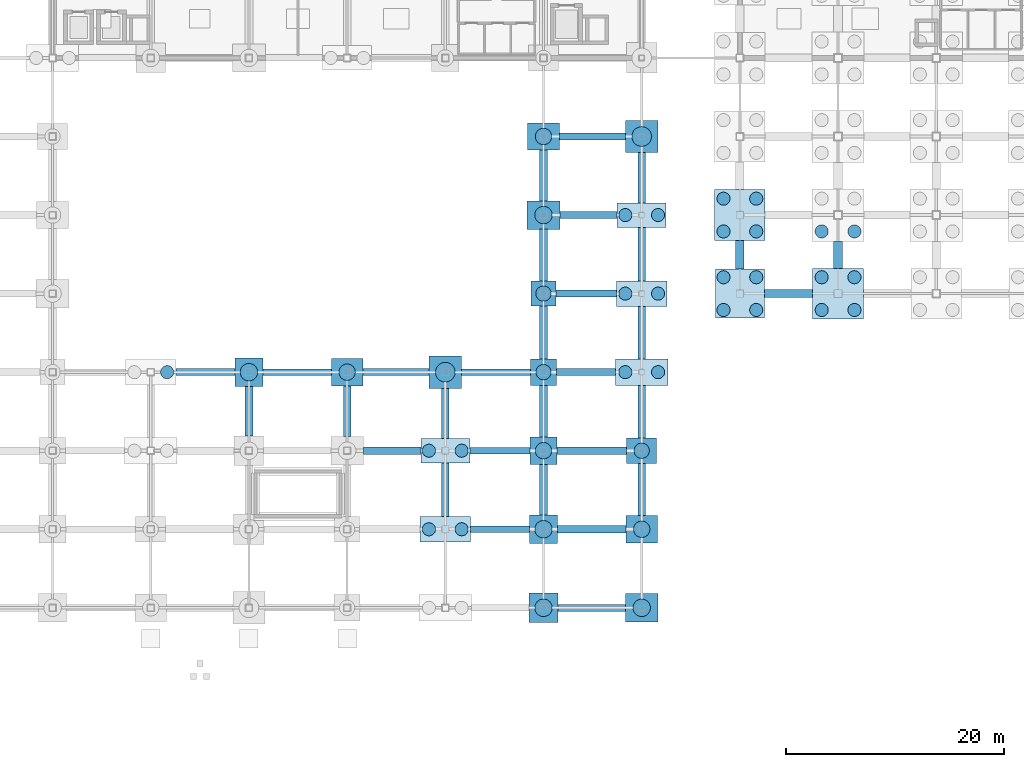
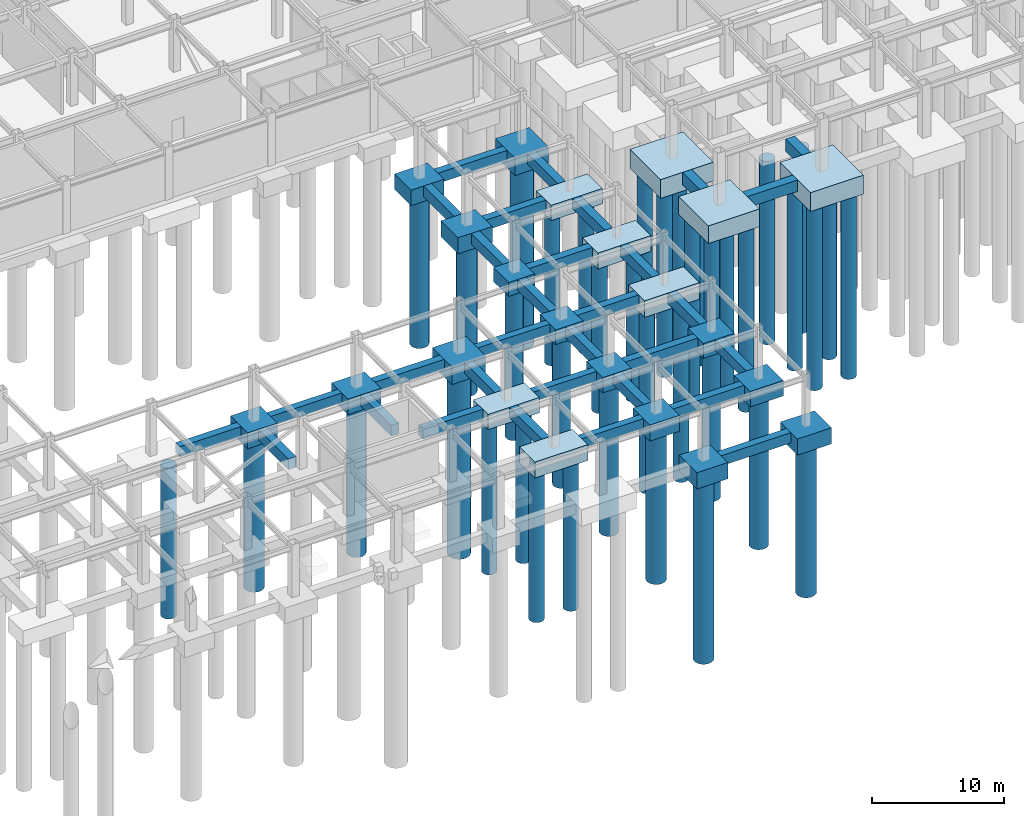
# One storey, part 4 of 28: 53 footings, 39 piles.
"""IFC4 building model written with IfcOpenShell, lengths in metres."""

from ifc_helpers import new_model, si_unit, direction, frame, origin, origin_2d, place, context, subcontext, project, spatial, rectangle, circle, extrude, material, material_profile, profile_set, type_object, element, save


model = new_model("IFC4")

# Units and contexts
model_context = context("Model", 3, precision=1e-05, world=origin(), true_north=direction((0.0, 1.0)))
body_context = subcontext(model_context, "Body", "Model", "MODEL_VIEW")
ifc_project = project(units=[si_unit("LENGTHUNIT", "METRE"), si_unit("AREAUNIT", "SQUARE_METRE"), si_unit("VOLUMEUNIT", "CUBIC_METRE"), si_unit("PLANEANGLEUNIT", "RADIAN"), si_unit("MASSUNIT", "GRAM", prefix="KILO")], contexts=[model_context])

# Site, building, storey
site_placement = place(None, origin())
site = spatial("IfcSite", under=ifc_project, at=site_placement, CompositionType="ELEMENT")
building_placement = place(site_placement, origin())
building = spatial("IfcBuilding", under=site, at=building_placement, Name="Kazanami Central Library", CompositionType="ELEMENT")
storey_placement = place(building_placement, frame((0.0, 0.0, -4.89990234375)))
storey = spatial("IfcBuildingStorey", under=building, at=storey_placement, Name="B01", CompositionType="ELEMENT", Elevation=-4.89990234375)

# Footings
ifc_material = material(Name="Concrete Fc36 (36 MPa)", Category="concrete")
ifc_material_profile_1 = material_profile(ifc_material, rectangle(XDim=0.60009765625, YDim=0.89990234375, at=origin_2d()), Name="RC-600x900")
ifc_profile_set_1 = profile_set([ifc_material_profile_1], Name="Concrete Fc36 (36 MPa)")
footing_type_1 = type_object("IfcFootingType", Name="FTG-GB-02", PredefinedType="FOOTING_BEAM", material=ifc_profile_set_1)
footing_1_placement = place(storey_placement, frame((92.324951171875, 21.60009765625, -0.4501953125), z_axis=(1.0, 0.0, 0.0), x_axis=(0.0, 1.0, 0.0)))
element("IfcFooting", 1, at=footing_1_placement, inside=storey, type_object=footing_type_1, Name="Ground Tie Beam GB-02 D/11-12", PredefinedType="FOOTING_BEAM", context=body_context, shape_type="SweptSolid", body=[
    extrude(rectangle(XDim=0.60009765625, YDim=0.89990234375, at=origin_2d()), origin(), (0.0, 0.0, 1.0), 5.375),
])
footing_2_placement = place(storey_placement, frame((92.25, 28.800048828125, -0.4501953125), z_axis=(1.0, 0.0, 0.0), x_axis=(0.0, 1.0, 0.0)))
element("IfcFooting", 2, at=footing_2_placement, inside=storey, type_object=footing_type_1, Name="Ground Tie Beam GB-02 E/11-12", PredefinedType="FOOTING_BEAM", context=body_context, shape_type="SweptSolid", body=[
    extrude(rectangle(XDim=0.60009765625, YDim=0.89990234375, at=origin_2d()), origin(), (0.0, 0.0, 1.0), 5.5),
])
footing_3_placement = place(storey_placement, frame((73.300048828125, 36.0, -0.4501953125), z_axis=(1.0, 0.0, 0.0), x_axis=(0.0, 1.0, 0.0)))
element("IfcFooting", 3, at=footing_3_placement, inside=storey, type_object=footing_type_1, Name="Ground Tie Beam GB-02 F/9-10", PredefinedType="FOOTING_BEAM", context=body_context, shape_type="SweptSolid", body=[
    extrude(rectangle(XDim=0.60009765625, YDim=0.89990234375, at=origin_2d()), origin(), (0.0, 0.0, 1.0), 6.25),
])
footing_4_placement = place(storey_placement, frame((91.47509765625, 36.0, -0.4501953125), z_axis=(1.0, 0.0, 0.0), x_axis=(0.0, 1.0, 0.0)))
element("IfcFooting", 4, at=footing_4_placement, inside=storey, type_object=footing_type_1, Name="Ground Tie Beam GB-02 F/11-12", PredefinedType="FOOTING_BEAM", context=body_context, shape_type="SweptSolid", body=[
    extrude(rectangle(XDim=0.60009765625, YDim=0.89990234375, at=origin_2d()), origin(), (0.0, 0.0, 1.0), 6.324951171875),
])
ifc_material_profile_2 = material_profile(ifc_material, rectangle(XDim=0.64990234375, YDim=0.949951171875, at=origin_2d()), Name="RC-650x950")
ifc_profile_set_2 = profile_set([ifc_material_profile_2], Name="Concrete Fc36 (36 MPa)")
footing_type_2 = type_object("IfcFootingType", Name="FTG-GB-03", PredefinedType="FOOTING_BEAM", material=ifc_profile_set_2)
footing_5_placement = place(storey_placement, frame((100.35009765625, 14.39990234375, -0.47509765625), z_axis=(1.0, 0.0, 0.0), x_axis=(0.0, 1.0, 0.0)))
element("IfcFooting", 5, at=footing_5_placement, inside=storey, type_object=footing_type_2, Name="Ground Tie Beam GB-03 C/12-13", PredefinedType="FOOTING_BEAM", context=body_context, shape_type="SweptSolid", body=[
    extrude(rectangle(XDim=0.64990234375, YDim=0.949951171875, at=origin_2d()), origin(), (0.0, 0.0, 1.0), 6.14990234375),
])
footing_6_placement = place(storey_placement, frame((100.300048828125, 21.60009765625, -0.47509765625), z_axis=(1.0, 0.0, 0.0), x_axis=(0.0, 1.0, 0.0)))
element("IfcFooting", 6, at=footing_6_placement, inside=storey, type_object=footing_type_2, Name="Ground Tie Beam GB-03 D/12-13", PredefinedType="FOOTING_BEAM", context=body_context, shape_type="SweptSolid", body=[
    extrude(rectangle(XDim=0.64990234375, YDim=0.949951171875, at=origin_2d()), origin(), (0.0, 0.0, 1.0), 6.25),
])
footing_7_placement = place(storey_placement, frame((82.5, 28.800048828125, -0.47509765625), z_axis=(1.0, 0.0, 0.0), x_axis=(0.0, 1.0, 0.0)))
element("IfcFooting", 7, at=footing_7_placement, inside=storey, type_object=footing_type_2, Name="Ground Tie Beam GB-03 E/10-11", PredefinedType="FOOTING_BEAM", context=body_context, shape_type="SweptSolid", body=[
    extrude(rectangle(XDim=0.64990234375, YDim=0.949951171875, at=origin_2d()), origin(), (0.0, 0.0, 1.0), 5.25),
])
footing_8_placement = place(storey_placement, frame((100.25, 28.800048828125, -0.47509765625), z_axis=(1.0, 0.0, 0.0), x_axis=(0.0, 1.0, 0.0)))
element("IfcFooting", 8, at=footing_8_placement, inside=storey, type_object=footing_type_2, Name="Ground Tie Beam GB-03 E/12-13", PredefinedType="FOOTING_BEAM", context=body_context, shape_type="SweptSolid", body=[
    extrude(rectangle(XDim=0.64990234375, YDim=0.949951171875, at=origin_2d()), origin(), (0.0, 0.0, 1.0), 6.375),
])
footing_9_placement = place(storey_placement, frame((65.324951171875, 36.0, -0.47509765625), z_axis=(1.0, 0.0, 0.0), x_axis=(0.0, 1.0, 0.0)))
element("IfcFooting", 9, at=footing_9_placement, inside=storey, type_object=footing_type_2, Name="Ground Tie Beam GB-03 F/8-9", PredefinedType="FOOTING_BEAM", context=body_context, shape_type="SweptSolid", body=[
    extrude(rectangle(XDim=0.64990234375, YDim=0.949951171875, at=origin_2d()), origin(), (0.0, 0.0, 1.0), 5.375),
])
footing_10_placement = place(storey_placement, frame((82.449951171875, 36.0, -0.47509765625), z_axis=(1.0, 0.0, 0.0), x_axis=(0.0, 1.0, 0.0)))
element("IfcFooting", 10, at=footing_10_placement, inside=storey, type_object=footing_type_2, Name="Ground Tie Beam GB-03 F/10-11", PredefinedType="FOOTING_BEAM", context=body_context, shape_type="SweptSolid", body=[
    extrude(rectangle(XDim=0.64990234375, YDim=0.949951171875, at=origin_2d()), origin(), (0.0, 0.0, 1.0), 6.074951171875),
])
footing_11_placement = place(storey_placement, frame((100.199951171875, 36.0, -0.47509765625), z_axis=(1.0, 0.0, 0.0), x_axis=(0.0, 1.0, 0.0)))
element("IfcFooting", 11, at=footing_11_placement, inside=storey, type_object=footing_type_2, Name="Ground Tie Beam GB-03 F/12-13", PredefinedType="FOOTING_BEAM", context=body_context, shape_type="SweptSolid", body=[
    extrude(rectangle(XDim=0.64990234375, YDim=0.949951171875, at=origin_2d()), origin(), (0.0, 0.0, 1.0), 5.400146484375),
])
footing_12_placement = place(storey_placement, frame((100.14990234375, 43.199951171875, -0.47509765625), z_axis=(1.0, 0.0, 0.0), x_axis=(0.0, 1.0, 0.0)))
element("IfcFooting", 12, at=footing_12_placement, inside=storey, type_object=footing_type_2, Name="Ground Tie Beam GB-03 G/12-13", PredefinedType="FOOTING_BEAM", context=body_context, shape_type="SweptSolid", body=[
    extrude(rectangle(XDim=0.64990234375, YDim=0.949951171875, at=origin_2d()), origin(), (0.0, 0.0, 1.0), 5.525146484375),
])
footing_13_placement = place(storey_placement, frame((100.5, 50.39990234375, -0.47509765625), z_axis=(1.0, 0.0, 0.0), x_axis=(0.0, 1.0, 0.0)))
element("IfcFooting", 13, at=footing_13_placement, inside=storey, type_object=footing_type_2, Name="Ground Tie Beam GB-03 H/12-13", PredefinedType="FOOTING_BEAM", context=body_context, shape_type="SweptSolid", body=[
    extrude(rectangle(XDim=0.64990234375, YDim=0.949951171875, at=origin_2d()), origin(), (0.0, 0.0, 1.0), 5.25),
])
footing_14_placement = place(storey_placement, frame((100.449951171875, 57.60009765625, -0.47509765625), z_axis=(1.0, 0.0, 0.0), x_axis=(0.0, 1.0, 0.0)))
element("IfcFooting", 14, at=footing_14_placement, inside=storey, type_object=footing_type_2, Name="Ground Tie Beam GB-03 J/12-13", PredefinedType="FOOTING_BEAM", context=body_context, shape_type="SweptSolid", body=[
    extrude(rectangle(XDim=0.64990234375, YDim=0.949951171875, at=origin_2d()), origin(), (0.0, 0.0, 1.0), 6.074951171875),
])
ifc_material_profile_3 = material_profile(ifc_material, rectangle(XDim=0.699951171875, YDim=1.0, at=origin_2d()), Name="RC-700x1000")
ifc_profile_set_3 = profile_set([ifc_material_profile_3], Name="Concrete Fc36 (36 MPa)")
footing_type_3 = type_object("IfcFootingType", Name="FTG-GB-04", PredefinedType="FOOTING_BEAM", material=ifc_profile_set_3)
footing_15_placement = place(storey_placement, frame((72.0, 30.14990234375, -0.5), z_axis=(0.0, 1.0, 0.0), x_axis=(-1.0, 0.0, 0.0)))
element("IfcFooting", 15, at=footing_15_placement, inside=storey, type_object=footing_type_3, Name="Ground Tie Beam GB-04 9/E-F", PredefinedType="FOOTING_BEAM", context=body_context, shape_type="SweptSolid", body=[
    extrude(rectangle(XDim=0.699951171875, YDim=1.0, at=origin_2d()), origin(), (0.0, 0.0, 1.0), 4.550048828125),
])
footing_16_placement = place(storey_placement, frame((81.0, 30.10009765625, -0.5), z_axis=(0.0, 1.0, 0.0), x_axis=(-1.0, 0.0, 0.0)))
element("IfcFooting", 16, at=footing_16_placement, inside=storey, type_object=footing_type_3, Name="Ground Tie Beam GB-04 10/E-F", PredefinedType="FOOTING_BEAM", context=body_context, shape_type="SweptSolid", body=[
    extrude(rectangle(XDim=0.699951171875, YDim=1.0, at=origin_2d()), origin(), (0.0, 0.0, 1.0), 4.64990234375),
])
footing_17_placement = place(storey_placement, frame((90.0, 22.77490234375, -0.5), z_axis=(0.0, 1.0, 0.0), x_axis=(-1.0, 0.0, 0.0)))
element("IfcFooting", 17, at=footing_17_placement, inside=storey, type_object=footing_type_3, Name="Ground Tie Beam GB-04 11/D-E", PredefinedType="FOOTING_BEAM", context=body_context, shape_type="SweptSolid", body=[
    extrude(rectangle(XDim=0.699951171875, YDim=1.0, at=origin_2d()), origin(), (0.0, 0.0, 1.0), 4.900146484375),
])
footing_18_placement = place(storey_placement, frame((90.0, 29.925048828125, -0.5), z_axis=(0.0, 1.0, 0.0), x_axis=(-1.0, 0.0, 0.0)))
element("IfcFooting", 18, at=footing_18_placement, inside=storey, type_object=footing_type_3, Name="Ground Tie Beam GB-04 11/E-F", PredefinedType="FOOTING_BEAM", context=body_context, shape_type="SweptSolid", body=[
    extrude(rectangle(XDim=0.699951171875, YDim=1.0, at=origin_2d()), origin(), (0.0, 0.0, 1.0), 4.599853515625),
])
footing_19_placement = place(storey_placement, frame((99.0, 22.89990234375, -0.5), z_axis=(0.0, 1.0, 0.0), x_axis=(-1.0, 0.0, 0.0)))
element("IfcFooting", 19, at=footing_19_placement, inside=storey, type_object=footing_type_3, Name="Ground Tie Beam GB-04 12/D-E", PredefinedType="FOOTING_BEAM", context=body_context, shape_type="SweptSolid", body=[
    extrude(rectangle(XDim=0.699951171875, YDim=1.0, at=origin_2d()), origin(), (0.0, 0.0, 1.0), 4.650146484375),
])
footing_20_placement = place(storey_placement, frame((99.0, 30.050048828125, -0.5), z_axis=(0.0, 1.0, 0.0), x_axis=(-1.0, 0.0, 0.0)))
element("IfcFooting", 20, at=footing_20_placement, inside=storey, type_object=footing_type_3, Name="Ground Tie Beam GB-04 12/E-F", PredefinedType="FOOTING_BEAM", context=body_context, shape_type="SweptSolid", body=[
    extrude(rectangle(XDim=0.699951171875, YDim=1.0, at=origin_2d()), origin(), (0.0, 0.0, 1.0), 4.75),
])
footing_21_placement = place(storey_placement, frame((99.0, 37.199951171875, -0.5), z_axis=(0.0, 1.0, 0.0), x_axis=(-1.0, 0.0, 0.0)))
element("IfcFooting", 21, at=footing_21_placement, inside=storey, type_object=footing_type_3, Name="Ground Tie Beam GB-04 12/F-G", PredefinedType="FOOTING_BEAM", context=body_context, shape_type="SweptSolid", body=[
    extrude(rectangle(XDim=0.699951171875, YDim=1.0, at=origin_2d()), origin(), (0.0, 0.0, 1.0), 4.85009765625),
])
footing_22_placement = place(storey_placement, frame((99.0, 44.35009765625, -0.5), z_axis=(0.0, 1.0, 0.0), x_axis=(-1.0, 0.0, 0.0)))
element("IfcFooting", 22, at=footing_22_placement, inside=storey, type_object=footing_type_3, Name="Ground Tie Beam GB-04 12/G-H", PredefinedType="FOOTING_BEAM", context=body_context, shape_type="SweptSolid", body=[
    extrude(rectangle(XDim=0.699951171875, YDim=1.0, at=origin_2d()), origin(), (0.0, 0.0, 1.0), 4.75),
])
footing_23_placement = place(storey_placement, frame((99.0, 51.699951171875, -0.5), z_axis=(0.0, 1.0, 0.0), x_axis=(-1.0, 0.0, 0.0)))
element("IfcFooting", 23, at=footing_23_placement, inside=storey, type_object=footing_type_3, Name="Ground Tie Beam GB-04 12/H-J", PredefinedType="FOOTING_BEAM", context=body_context, shape_type="SweptSolid", body=[
    extrude(rectangle(XDim=0.699951171875, YDim=1.0, at=origin_2d()), origin(), (0.0, 0.0, 1.0), 4.650146484375),
])
footing_24_placement = place(storey_placement, frame((108.0, 22.85009765625, -0.5), z_axis=(0.0, 1.0, 0.0), x_axis=(-1.0, 0.0, 0.0)))
element("IfcFooting", 24, at=footing_24_placement, inside=storey, type_object=footing_type_3, Name="Ground Tie Beam GB-04 13/D-E", PredefinedType="FOOTING_BEAM", context=body_context, shape_type="SweptSolid", body=[
    extrude(rectangle(XDim=0.699951171875, YDim=1.0, at=origin_2d()), origin(), (0.0, 0.0, 1.0), 4.77490234375),
])
for number, where, z_axis, x_axis, name in (
    (25, (108.0, 29.97509765625, -0.5), (0.0, 1.0, 0.0), (-1.0, 0.0, 0.0), "Ground Tie Beam GB-04 13/E-F"),
    (26, (108.0, 37.22509765625, -0.5), (0.0, 1.0, 0.0), (-1.0, 0.0, 0.0), "Ground Tie Beam GB-04 13/F-G"),
):
    element("IfcFooting", number, at=place(storey_placement, frame(where, z_axis=z_axis, x_axis=x_axis)), inside=storey, type_object=footing_type_3, Name=name, PredefinedType="FOOTING_BEAM", context=body_context, shape_type="SweptSolid", body=[
        extrude(rectangle(XDim=0.699951171875, YDim=1.0, at=origin_2d()), origin(), (0.0, 0.0, 1.0), 4.7998046875),
    ])
footing_25_placement = place(storey_placement, frame((108.0, 44.375, -0.5), z_axis=(0.0, 1.0, 0.0), x_axis=(-1.0, 0.0, 0.0)))
element("IfcFooting", 27, at=footing_25_placement, inside=storey, type_object=footing_type_3, Name="Ground Tie Beam GB-04 13/G-H", PredefinedType="FOOTING_BEAM", context=body_context, shape_type="SweptSolid", body=[
    extrude(rectangle(XDim=0.699951171875, YDim=1.0, at=origin_2d()), origin(), (0.0, 0.0, 1.0), 4.89990234375),
])
footing_26_placement = place(storey_placement, frame((108.0, 51.52490234375, -0.5), z_axis=(0.0, 1.0, 0.0), x_axis=(-1.0, 0.0, 0.0)))
element("IfcFooting", 28, at=footing_26_placement, inside=storey, type_object=footing_type_3, Name="Ground Tie Beam GB-04 13/H-J", PredefinedType="FOOTING_BEAM", context=body_context, shape_type="SweptSolid", body=[
    extrude(rectangle(XDim=0.699951171875, YDim=1.0, at=origin_2d()), origin(), (0.0, 0.0, 1.0), 4.60009765625),
])
ifc_material_profile_4 = material_profile(ifc_material, rectangle(XDim=0.75, YDim=1.050048828125, at=origin_2d()), Name="RC-750x1050")
ifc_profile_set_4 = profile_set([ifc_material_profile_4], Name="Concrete Fc36 (36 MPa)")
footing_type_4 = type_object("IfcFootingType", Name="FTG-GB-05", PredefinedType="FOOTING_BEAM", material=ifc_profile_set_4)
footing_27_placement = place(storey_placement, frame((119.25, 43.199951171875, -0.525146484375), z_axis=(1.0, 0.0, 0.0), x_axis=(0.0, 1.0, 0.0)))
element("IfcFooting", 29, at=footing_27_placement, inside=storey, type_object=footing_type_4, Name="Ground Tie Beam GB-05 G/14-15", PredefinedType="FOOTING_BEAM", context=body_context, shape_type="SweptSolid", body=[
    extrude(rectangle(XDim=0.75, YDim=1.050048828125, at=origin_2d()), origin(), (0.0, 0.0, 1.0), 4.425048828125),
])
ifc_material_profile_5 = material_profile(ifc_material, rectangle(XDim=0.800048828125, YDim=1.14990234375, at=origin_2d()), Name="RC-800x1150")
ifc_profile_set_5 = profile_set([ifc_material_profile_5], Name="Concrete Fc36 (36 MPa)")
footing_type_5 = type_object("IfcFootingType", Name="FTG-GB-06", PredefinedType="FOOTING_BEAM", material=ifc_profile_set_5)
footing_28_placement = place(storey_placement, frame((117.0, 45.449951171875, -0.5751953125), z_axis=(0.0, 1.0, 0.0), x_axis=(-1.0, 0.0, 0.0)))
element("IfcFooting", 30, at=footing_28_placement, inside=storey, type_object=footing_type_5, Name="Ground Tie Beam GB-06 14/G-H", PredefinedType="FOOTING_BEAM", context=body_context, shape_type="SweptSolid", body=[
    extrude(rectangle(XDim=0.800048828125, YDim=1.14990234375, at=origin_2d()), origin(), (0.0, 0.0, 1.0), 2.625),
])
footing_29_placement = place(storey_placement, frame((126.0, 45.52490234375, -0.5751953125), z_axis=(0.0, 1.0, 0.0), x_axis=(-1.0, 0.0, 0.0)))
element("IfcFooting", 31, at=footing_29_placement, inside=storey, type_object=footing_type_5, Name="Ground Tie Beam GB-06 15/G-H", PredefinedType="FOOTING_BEAM", context=body_context, shape_type="SweptSolid", body=[
    extrude(rectangle(XDim=0.800048828125, YDim=1.14990234375, at=origin_2d()), origin(), (0.0, 0.0, 1.0), 2.47509765625),
])
footing_type_6 = type_object("IfcFootingType", Name="FTG-PC-02", PredefinedType="PILE_CAP", material=ifc_material)
for number, where, z_axis, x_axis, name in (
    (32, (117.0, 50.39990234375, -1.75), (0.0, 0.0, 1.0), (1.0, 0.0, 0.0), "Pile Cap PC-02 at 14/H"),
    (33, (126.0, 43.199951171875, -1.75), (0.0, 0.0, 1.0), (1.0, 0.0, 0.0), "Pile Cap PC-02 at 15/G"),
):
    element("IfcFooting", number, at=place(storey_placement, frame(where, z_axis=z_axis, x_axis=x_axis)), inside=storey, type_object=footing_type_6, Name=name, PredefinedType="PILE_CAP", context=body_context, shape_type="SweptSolid", body=[
        extrude(rectangle(XDim=4.64990234375, YDim=4.64990234375, at=origin_2d()), origin(), (0.0, 0.0, 1.0), 1.75),
    ])
footing_type_7 = type_object("IfcFootingType", Name="FTG-PC-03", PredefinedType="PILE_CAP", material=ifc_material)
footing_30_placement = place(storey_placement, frame((117.0, 43.199951171875, -1.650146484375), z_axis=(0.0, 0.0, 1.0), x_axis=(1.0, 0.0, 0.0)))
element("IfcFooting", 34, at=footing_30_placement, inside=storey, type_object=footing_type_7, Name="Pile Cap PC-03 at 14/G", PredefinedType="PILE_CAP", context=body_context, shape_type="SweptSolid", body=[
    extrude(rectangle(XDim=4.5, YDim=4.5, at=origin_2d()), origin(), (0.0, 0.0, 1.0), 1.64990234375),
])
footing_type_8 = type_object("IfcFootingType", Name="FTG-PC-04", PredefinedType="PILE_CAP", material=ifc_material)
footing_31_placement = place(storey_placement, frame((108.0, 36.0, -1.55029296875), z_axis=(0.0, 0.0, 1.0), x_axis=(1.0, 0.0, 0.0)))
element("IfcFooting", 35, at=footing_31_placement, inside=storey, type_object=footing_type_8, Name="Pile Cap PC-04 at 13/F", PredefinedType="PILE_CAP", context=body_context, shape_type="SweptSolid", body=[
    extrude(rectangle(XDim=4.800048828125, YDim=2.449951171875, at=origin_2d()), origin(), (0.0, 0.0, 1.0), 1.550048828125),
])
footing_type_9 = type_object("IfcFootingType", Name="FTG-PC-05", PredefinedType="PILE_CAP", material=ifc_material)
for number, where, z_axis, x_axis, name in (
    (36, (90.0, 21.60009765625, -1.47998046875), (0.0, 0.0, 1.0), (1.0, 0.0, 0.0), "Pile Cap PC-05 at 11/D"),
    (37, (108.0, 43.199951171875, -1.47998046875), (0.0, 0.0, 1.0), (1.0, 0.0, 0.0), "Pile Cap PC-05 at 13/G"),
):
    element("IfcFooting", number, at=place(storey_placement, frame(where, z_axis=z_axis, x_axis=x_axis)), inside=storey, type_object=footing_type_9, Name=name, PredefinedType="PILE_CAP", context=body_context, shape_type="SweptSolid", body=[
        extrude(rectangle(XDim=4.64990234375, YDim=2.35009765625, at=origin_2d()), origin(), (0.0, 0.0, 1.0), 1.47998046875),
    ])
footing_type_10 = type_object("IfcFootingType", Name="FTG-PC-06", PredefinedType="PILE_CAP", material=ifc_material)
for number, where, z_axis, x_axis, name in (
    (38, (90.0, 28.800048828125, -1.420166015625), (0.0, 0.0, 1.0), (1.0, 0.0, 0.0), "Pile Cap PC-06 at 11/E"),
    (39, (108.0, 50.39990234375, -1.420166015625), (0.0, 0.0, 1.0), (1.0, 0.0, 0.0), "Pile Cap PC-06 at 13/H"),
):
    element("IfcFooting", number, at=place(storey_placement, frame(where, z_axis=z_axis, x_axis=x_axis)), inside=storey, type_object=footing_type_10, Name=name, PredefinedType="PILE_CAP", context=body_context, shape_type="SweptSolid", body=[
        extrude(rectangle(XDim=4.5, YDim=2.25, at=origin_2d()), origin(), (0.0, 0.0, 1.0), 1.419921875),
    ])
footing_type_11 = type_object("IfcFootingType", Name="FTG-PC-07", PredefinedType="PILE_CAP", material=ifc_material)
for number, where, z_axis, x_axis, name in (
    (40, (90.0, 36.0, -1.650146484375), (0.0, 0.0, 1.0), (1.0, 0.0, 0.0), "Pile Cap PC-07 at 11/F"),
    (41, (108.0, 57.60009765625, -1.650146484375), (0.0, 0.0, 1.0), (1.0, 0.0, 0.0), "Pile Cap PC-07 at 13/J"),
):
    element("IfcFooting", number, at=place(storey_placement, frame(where, z_axis=z_axis, x_axis=x_axis)), inside=storey, type_object=footing_type_11, Name=name, PredefinedType="PILE_CAP", context=body_context, shape_type="SweptSolid", body=[
        extrude(rectangle(XDim=2.949951171875, YDim=2.949951171875, at=origin_2d()), origin(), (0.0, 0.0, 1.0), 1.64990234375),
    ])
footing_type_12 = type_object("IfcFootingType", Name="FTG-PC-09", PredefinedType="PILE_CAP", material=ifc_material)
footing_32_placement = place(storey_placement, frame((99.0, 14.39990234375, -1.52001953125), z_axis=(0.0, 0.0, 1.0), x_axis=(1.0, 0.0, 0.0)))
element("IfcFooting", 42, at=footing_32_placement, inside=storey, type_object=footing_type_12, Name="Pile Cap PC-09 at 12/C", PredefinedType="PILE_CAP", context=body_context, shape_type="SweptSolid", body=[
    extrude(rectangle(XDim=2.699951171875, YDim=2.699951171875, at=origin_2d()), origin(), (0.0, 0.0, 1.0), 1.52001953125),
])
footing_type_13 = type_object("IfcFootingType", Name="FTG-PC-10", PredefinedType="PILE_CAP", material=ifc_material)
for number, where, z_axis, x_axis, name in (
    (43, (72.0, 36.0, -1.47998046875), (0.0, 0.0, 1.0), (1.0, 0.0, 0.0), "Pile Cap PC-10 at 9/F"),
    (44, (99.0, 21.60009765625, -1.47998046875), (0.0, 0.0, 1.0), (1.0, 0.0, 0.0), "Pile Cap PC-10 at 12/D"),
):
    element("IfcFooting", number, at=place(storey_placement, frame(where, z_axis=z_axis, x_axis=x_axis)), inside=storey, type_object=footing_type_13, Name=name, PredefinedType="PILE_CAP", context=body_context, shape_type="SweptSolid", body=[
        extrude(rectangle(XDim=2.60009765625, YDim=2.60009765625, at=origin_2d()), origin(), (0.0, 0.0, 1.0), 1.47998046875),
    ])
footing_type_14 = type_object("IfcFootingType", Name="FTG-PC-11", PredefinedType="PILE_CAP", material=ifc_material)
footing_33_placement = place(storey_placement, frame((99.0, 28.800048828125, -1.420166015625), z_axis=(0.0, 0.0, 1.0), x_axis=(1.0, 0.0, 0.0)))
element("IfcFooting", 45, at=footing_33_placement, inside=storey, type_object=footing_type_14, Name="Pile Cap PC-11 at 12/E", PredefinedType="PILE_CAP", context=body_context, shape_type="SweptSolid", body=[
    extrude(rectangle(XDim=2.5, YDim=2.5, at=origin_2d()), origin(), (0.0, 0.0, 1.0), 1.419921875),
])
footing_type_15 = type_object("IfcFootingType", Name="FTG-PC-12", PredefinedType="PILE_CAP", material=ifc_material)
footing_34_placement = place(storey_placement, frame((99.0, 36.0, -1.3603515625), z_axis=(0.0, 0.0, 1.0), x_axis=(1.0, 0.0, 0.0)))
element("IfcFooting", 46, at=footing_34_placement, inside=storey, type_object=footing_type_15, Name="Pile Cap PC-12 at 12/F", PredefinedType="PILE_CAP", context=body_context, shape_type="SweptSolid", body=[
    extrude(rectangle(XDim=2.39990234375, YDim=2.39990234375, at=origin_2d()), origin(), (0.0, 0.0, 1.0), 1.360107421875),
])
footing_type_16 = type_object("IfcFootingType", Name="FTG-PC-13", PredefinedType="PILE_CAP", material=ifc_material)
footing_35_placement = place(storey_placement, frame((99.0, 43.199951171875, -1.30029296875), z_axis=(0.0, 0.0, 1.0), x_axis=(1.0, 0.0, 0.0)))
element("IfcFooting", 47, at=footing_35_placement, inside=storey, type_object=footing_type_16, Name="Pile Cap PC-13 at 12/G", PredefinedType="PILE_CAP", context=body_context, shape_type="SweptSolid", body=[
    extrude(rectangle(XDim=2.300048828125, YDim=2.300048828125, at=origin_2d()), origin(), (0.0, 0.0, 1.0), 1.300048828125),
])
footing_type_17 = type_object("IfcFootingType", Name="FTG-PC-18", PredefinedType="PILE_CAP", material=ifc_material)
for number, where, z_axis, x_axis, name in (
    (48, (99.0, 50.39990234375, -1.5), (0.0, 0.0, 1.0), (1.0, 0.0, 0.0), "Pile Cap PC-18 at 12/H"),
    (49, (108.0, 14.39990234375, -1.5), (0.0, 0.0, 1.0), (1.0, 0.0, 0.0), "Pile Cap PC-18 at 13/C"),
):
    element("IfcFooting", number, at=place(storey_placement, frame(where, z_axis=z_axis, x_axis=x_axis)), inside=storey, type_object=footing_type_17, Name=name, PredefinedType="PILE_CAP", context=body_context, shape_type="SweptSolid", body=[
        extrude(rectangle(XDim=3.0, YDim=2.60009765625, at=origin_2d()), origin(), (0.0, 0.0, 1.0), 1.5),
    ])
footing_type_18 = type_object("IfcFootingType", Name="FTG-PC-19", PredefinedType="PILE_CAP", material=ifc_material)
for number, where, z_axis, x_axis, name in (
    (50, (81.0, 36.0, -1.440185546875), (0.0, 0.0, 1.0), (1.0, 0.0, 0.0), "Pile Cap PC-19 at 10/F"),
    (51, (99.0, 57.60009765625, -1.440185546875), (0.0, 0.0, 1.0), (1.0, 0.0, 0.0), "Pile Cap PC-19 at 12/J"),
    (52, (108.0, 21.60009765625, -1.440185546875), (0.0, 0.0, 1.0), (1.0, 0.0, 0.0), "Pile Cap PC-19 at 13/D"),
):
    element("IfcFooting", number, at=place(storey_placement, frame(where, z_axis=z_axis, x_axis=x_axis)), inside=storey, type_object=footing_type_18, Name=name, PredefinedType="PILE_CAP", context=body_context, shape_type="SweptSolid", body=[
        extrude(rectangle(XDim=2.89990234375, YDim=2.5, at=origin_2d()), origin(), (0.0, 0.0, 1.0), 1.43994140625),
    ])
footing_type_19 = type_object("IfcFootingType", Name="FTG-PC-20", PredefinedType="PILE_CAP", material=ifc_material)
footing_36_placement = place(storey_placement, frame((108.0, 28.800048828125, -1.380126953125), z_axis=(0.0, 0.0, 1.0), x_axis=(1.0, 0.0, 0.0)))
element("IfcFooting", 53, at=footing_36_placement, inside=storey, type_object=footing_type_19, Name="Pile Cap PC-20 at 13/E", PredefinedType="PILE_CAP", context=body_context, shape_type="SweptSolid", body=[
    extrude(rectangle(XDim=2.75, YDim=2.35009765625, at=origin_2d()), origin(), (0.0, 0.0, 1.0), 1.3798828125),
])

# Piles
ifc_material_profile_6 = material_profile(ifc_material, circle(Radius=0.60009765625, at=origin_2d()), Name="BORED-D1200")
ifc_profile_set_6 = profile_set([ifc_material_profile_6], Name="Concrete Fc36 (36 MPa)")
pile_type_1 = type_object("IfcPileType", Name="PIL-PL-12", PredefinedType="BORED", material=ifc_profile_set_6)
for number, where, z_axis, x_axis, name in (
    (54, (64.5, 36.0, -1.47998046875), (0.0, 0.0, -1.0), (1.0, 0.0, 0.0), "Bored Pile PL-12 8/F-2"),
    (55, (88.5, 21.60009765625, -1.47998046875), (0.0, 0.0, -1.0), (1.0, 0.0, 0.0), "Bored Pile PL-12 11/D-1"),
    (56, (91.5, 21.60009765625, -1.47998046875), (0.0, 0.0, -1.0), (1.0, 0.0, 0.0), "Bored Pile PL-12 11/D-2"),
    (57, (88.5, 28.800048828125, -1.420166015625), (0.0, 0.0, -1.0), (1.0, 0.0, 0.0), "Bored Pile PL-12 11/E-1"),
    (58, (91.5, 28.800048828125, -1.420166015625), (0.0, 0.0, -1.0), (1.0, 0.0, 0.0), "Bored Pile PL-12 11/E-2"),
):
    element("IfcPile", number, at=place(storey_placement, frame(where, z_axis=z_axis, x_axis=x_axis)), inside=storey, type_object=pile_type_1, Name=name, PredefinedType="BORED", context=body_context, shape_type="SweptSolid", body=[
        extrude(circle(Radius=0.60009765625, at=origin_2d()), origin(), (0.0, 0.0, 1.0), 14.0),
    ])
for number, where, z_axis, x_axis, name in (
    (59, (106.5, 36.0, -1.550048828125), (0.0, 0.0, -1.0), (1.0, 0.0, 0.0), "Bored Pile PL-12 13/F-1"),
    (60, (109.5, 36.0, -1.550048828125), (0.0, 0.0, -1.0), (1.0, 0.0, 0.0), "Bored Pile PL-12 13/F-2"),
):
    element("IfcPile", number, at=place(storey_placement, frame(where, z_axis=z_axis, x_axis=x_axis)), inside=storey, type_object=pile_type_1, Name=name, PredefinedType="BORED", context=body_context, shape_type="SweptSolid", body=[
        extrude(circle(Radius=0.60009765625, at=origin_2d()), origin(), (0.0, 0.0, 1.0), 17.0),
    ])
for number, where, z_axis, x_axis, name in (
    (61, (106.5, 43.199951171875, -1.47998046875), (0.0, 0.0, -1.0), (1.0, 0.0, 0.0), "Bored Pile PL-12 13/G-1"),
    (62, (109.5, 43.199951171875, -1.47998046875), (0.0, 0.0, -1.0), (1.0, 0.0, 0.0), "Bored Pile PL-12 13/G-2"),
    (63, (106.5, 50.39990234375, -1.420166015625), (0.0, 0.0, -1.0), (1.0, 0.0, 0.0), "Bored Pile PL-12 13/H-1"),
    (64, (109.5, 50.39990234375, -1.420166015625), (0.0, 0.0, -1.0), (1.0, 0.0, 0.0), "Bored Pile PL-12 13/H-2"),
):
    element("IfcPile", number, at=place(storey_placement, frame(where, z_axis=z_axis, x_axis=x_axis)), inside=storey, type_object=pile_type_1, Name=name, PredefinedType="BORED", context=body_context, shape_type="SweptSolid", body=[
        extrude(circle(Radius=0.60009765625, at=origin_2d()), origin(), (0.0, 0.0, 1.0), 14.0),
    ])
for number, where, z_axis, x_axis, name in (
    (65, (115.5, 41.699951171875, -1.650146484375), (0.0, 0.0, -1.0), (1.0, 0.0, 0.0), "Bored Pile PL-12 14/G-1"),
    (66, (118.5, 41.699951171875, -1.650146484375), (0.0, 0.0, -1.0), (1.0, 0.0, 0.0), "Bored Pile PL-12 14/G-2"),
    (67, (115.5, 44.699951171875, -1.650146484375), (0.0, 0.0, -1.0), (1.0, 0.0, 0.0), "Bored Pile PL-12 14/G-3"),
    (68, (118.5, 44.699951171875, -1.650146484375), (0.0, 0.0, -1.0), (1.0, 0.0, 0.0), "Bored Pile PL-12 14/G-4"),
    (69, (115.5, 48.89990234375, -1.75), (0.0, 0.0, -1.0), (1.0, 0.0, 0.0), "Bored Pile PL-12 14/H-1"),
    (70, (118.5, 48.89990234375, -1.75), (0.0, 0.0, -1.0), (1.0, 0.0, 0.0), "Bored Pile PL-12 14/H-2"),
    (71, (115.5, 51.89990234375, -1.75), (0.0, 0.0, -1.0), (1.0, 0.0, 0.0), "Bored Pile PL-12 14/H-3"),
    (72, (118.5, 51.89990234375, -1.75), (0.0, 0.0, -1.0), (1.0, 0.0, 0.0), "Bored Pile PL-12 14/H-4"),
    (73, (124.5, 41.699951171875, -1.75), (0.0, 0.0, -1.0), (1.0, 0.0, 0.0), "Bored Pile PL-12 15/G-1"),
    (74, (127.5, 41.699951171875, -1.75), (0.0, 0.0, -1.0), (1.0, 0.0, 0.0), "Bored Pile PL-12 15/G-2"),
    (75, (124.5, 44.699951171875, -1.75), (0.0, 0.0, -1.0), (1.0, 0.0, 0.0), "Bored Pile PL-12 15/G-3"),
    (76, (127.5, 44.699951171875, -1.75), (0.0, 0.0, -1.0), (1.0, 0.0, 0.0), "Bored Pile PL-12 15/G-4"),
    (77, (124.5, 48.89990234375, -1.85009765625), (0.0, 0.0, -1.0), (1.0, 0.0, 0.0), "Bored Pile PL-12 15/H-1"),
    (78, (127.5, 48.89990234375, -1.85009765625), (0.0, 0.0, -1.0), (1.0, 0.0, 0.0), "Bored Pile PL-12 15/H-2"),
):
    element("IfcPile", number, at=place(storey_placement, frame(where, z_axis=z_axis, x_axis=x_axis)), inside=storey, type_object=pile_type_1, Name=name, PredefinedType="BORED", context=body_context, shape_type="SweptSolid", body=[
        extrude(circle(Radius=0.60009765625, at=origin_2d()), origin(), (0.0, 0.0, 1.0), 17.0),
    ])
ifc_material_profile_7 = material_profile(ifc_material, circle(Radius=0.699951171875, at=origin_2d()), Name="BORED-D1400")
ifc_profile_set_7 = profile_set([ifc_material_profile_7], Name="Concrete Fc36 (36 MPa)")
pile_type_2 = type_object("IfcPileType", Name="PIL-PL-14", PredefinedType="BORED", material=ifc_profile_set_7)
for number, where, z_axis, x_axis, name in (
    (79, (99.0, 36.0, -1.360107421875), (0.0, 0.0, -1.0), (1.0, 0.0, 0.0), "Bored Pile PL-14 12/F-1"),
    (80, (99.0, 43.199951171875, -1.300048828125), (0.0, 0.0, -1.0), (1.0, 0.0, 0.0), "Bored Pile PL-14 12/G-1"),
    (81, (108.0, 28.800048828125, -1.380126953125), (0.0, 0.0, -1.0), (1.0, 0.0, 0.0), "Bored Pile PL-14 13/E-1"),
):
    element("IfcPile", number, at=place(storey_placement, frame(where, z_axis=z_axis, x_axis=x_axis)), inside=storey, type_object=pile_type_2, Name=name, PredefinedType="BORED", context=body_context, shape_type="SweptSolid", body=[
        extrude(circle(Radius=0.699951171875, at=origin_2d()), origin(), (0.0, 0.0, 1.0), 14.0),
    ])
ifc_material_profile_8 = material_profile(ifc_material, circle(Radius=0.75, at=origin_2d()), Name="BORED-D1500")
ifc_profile_set_8 = profile_set([ifc_material_profile_8], Name="Concrete Fc36 (36 MPa)")
pile_type_3 = type_object("IfcPileType", Name="PIL-PL-15", PredefinedType="BORED", material=ifc_profile_set_8)
for number, where, z_axis, x_axis, name in (
    (82, (81.0, 36.0, -1.440185546875), (0.0, 0.0, -1.0), (1.0, 0.0, 0.0), "Bored Pile PL-15 10/F-1"),
    (83, (99.0, 28.800048828125, -1.420166015625), (0.0, 0.0, -1.0), (1.0, 0.0, 0.0), "Bored Pile PL-15 12/E-1"),
    (84, (99.0, 57.60009765625, -1.440185546875), (0.0, 0.0, -1.0), (1.0, 0.0, 0.0), "Bored Pile PL-15 12/J-1"),
    (85, (108.0, 21.60009765625, -1.440185546875), (0.0, 0.0, -1.0), (1.0, 0.0, 0.0), "Bored Pile PL-15 13/D-1"),
):
    element("IfcPile", number, at=place(storey_placement, frame(where, z_axis=z_axis, x_axis=x_axis)), inside=storey, type_object=pile_type_3, Name=name, PredefinedType="BORED", context=body_context, shape_type="SweptSolid", body=[
        extrude(circle(Radius=0.75, at=origin_2d()), origin(), (0.0, 0.0, 1.0), 14.0),
    ])
ifc_material_profile_9 = material_profile(ifc_material, circle(Radius=0.800048828125, at=origin_2d()), Name="BORED-D1600")
ifc_profile_set_9 = profile_set([ifc_material_profile_9], Name="Concrete Fc36 (36 MPa)")
pile_type_4 = type_object("IfcPileType", Name="PIL-PL-16", PredefinedType="BORED", material=ifc_profile_set_9)
pile_1_placement = place(storey_placement, frame((72.0, 36.0, -1.47998046875), z_axis=(0.0, 0.0, -1.0), x_axis=(1.0, 0.0, 0.0)))
element("IfcPile", 86, at=pile_1_placement, inside=storey, type_object=pile_type_4, Name="Bored Pile PL-16 9/F-1", PredefinedType="BORED", context=body_context, shape_type="SweptSolid", body=[
    extrude(circle(Radius=0.800048828125, at=origin_2d()), origin(), (0.0, 0.0, 1.0), 14.0),
])
pile_2_placement = place(storey_placement, frame((99.0, 14.39990234375, -1.52001953125), z_axis=(0.0, 0.0, -1.0), x_axis=(1.0, 0.0, 0.0)))
element("IfcPile", 87, at=pile_2_placement, inside=storey, type_object=pile_type_4, Name="Bored Pile PL-16 12/C-1", PredefinedType="BORED", context=body_context, shape_type="SweptSolid", body=[
    extrude(circle(Radius=0.800048828125, at=origin_2d()), origin(), (0.0, 0.0, 1.0), 17.0),
])
for number, where, z_axis, x_axis, name in (
    (88, (99.0, 21.60009765625, -1.47998046875), (0.0, 0.0, -1.0), (1.0, 0.0, 0.0), "Bored Pile PL-16 12/D-1"),
    (89, (99.0, 50.39990234375, -1.5), (0.0, 0.0, -1.0), (1.0, 0.0, 0.0), "Bored Pile PL-16 12/H-1"),
    (90, (108.0, 14.39990234375, -1.5), (0.0, 0.0, -1.0), (1.0, 0.0, 0.0), "Bored Pile PL-16 13/C-1"),
):
    element("IfcPile", number, at=place(storey_placement, frame(where, z_axis=z_axis, x_axis=x_axis)), inside=storey, type_object=pile_type_4, Name=name, PredefinedType="BORED", context=body_context, shape_type="SweptSolid", body=[
        extrude(circle(Radius=0.800048828125, at=origin_2d()), origin(), (0.0, 0.0, 1.0), 14.0),
    ])
ifc_material_profile_10 = material_profile(ifc_material, circle(Radius=0.89990234375, at=origin_2d()), Name="BORED-D1800")
ifc_profile_set_10 = profile_set([ifc_material_profile_10], Name="Concrete Fc36 (36 MPa)")
pile_type_5 = type_object("IfcPileType", Name="PIL-PL-18", PredefinedType="BORED", material=ifc_profile_set_10)
for number, where, z_axis, x_axis, name in (
    (91, (90.0, 36.0, -1.650146484375), (0.0, 0.0, -1.0), (1.0, 0.0, 0.0), "Bored Pile PL-18 11/F-1"),
    (92, (108.0, 57.60009765625, -1.650146484375), (0.0, 0.0, -1.0), (1.0, 0.0, 0.0), "Bored Pile PL-18 13/J-1"),
):
    element("IfcPile", number, at=place(storey_placement, frame(where, z_axis=z_axis, x_axis=x_axis)), inside=storey, type_object=pile_type_5, Name=name, PredefinedType="BORED", context=body_context, shape_type="SweptSolid", body=[
        extrude(circle(Radius=0.89990234375, at=origin_2d()), origin(), (0.0, 0.0, 1.0), 17.0),
    ])

save(model, "model.ifc")
